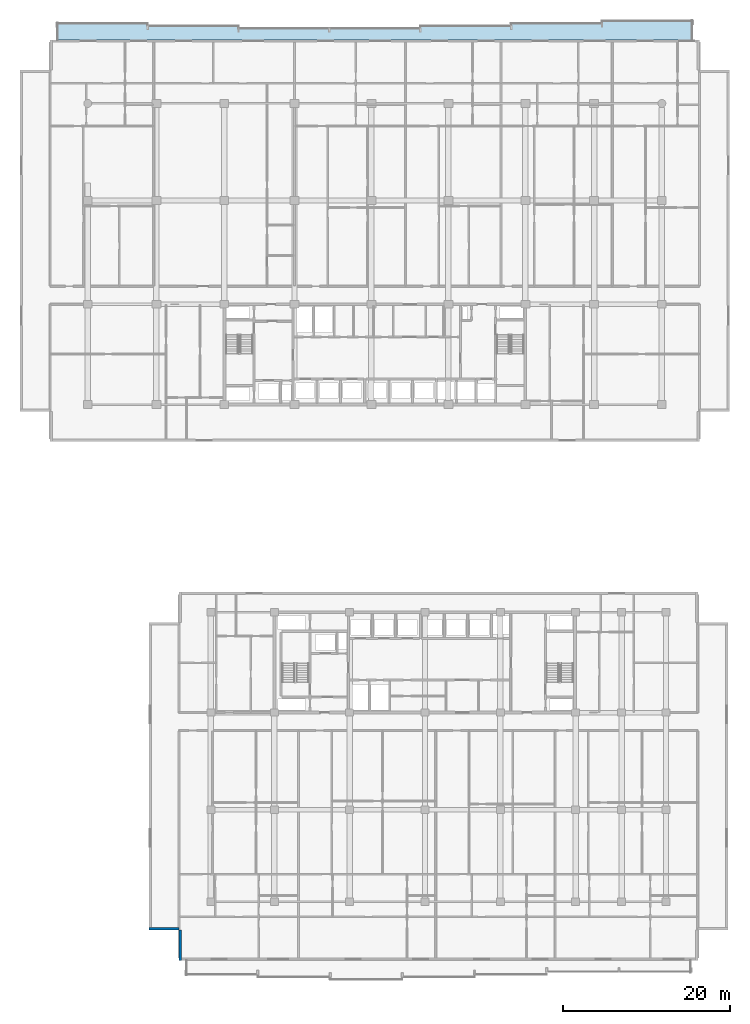
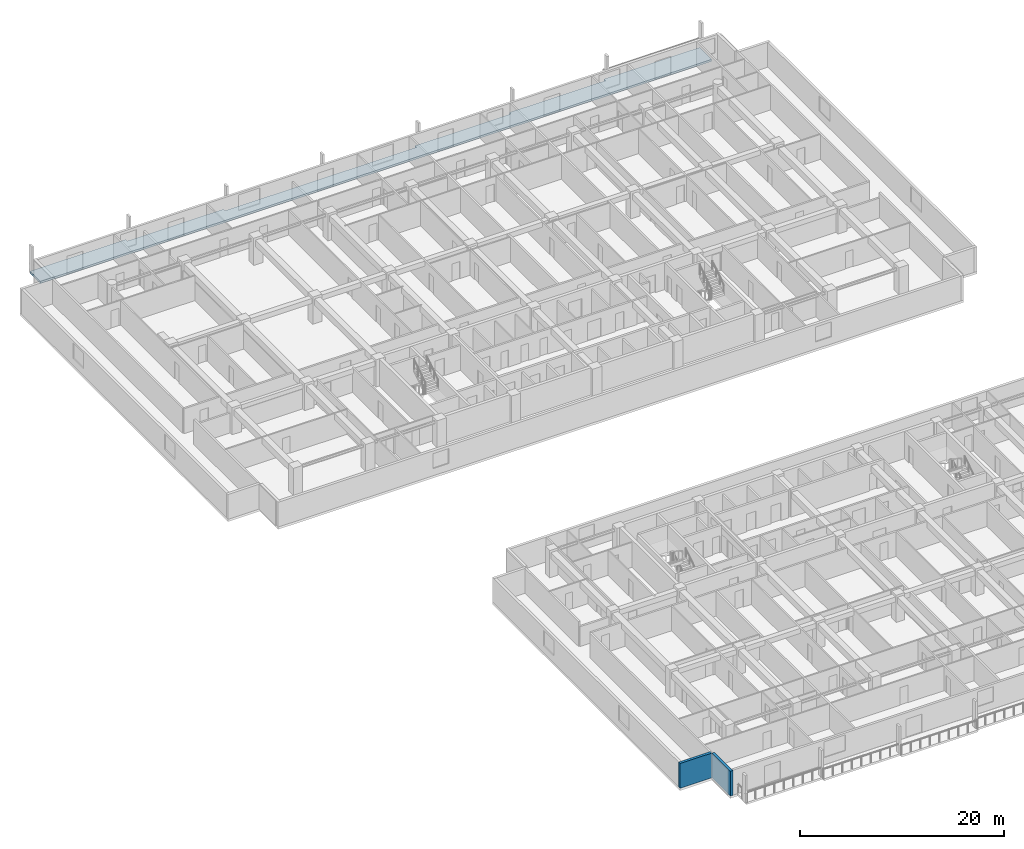
# One storey, part 3 of 23: 2 walls, 1 slab.
"""IFC4 building model written with IfcOpenShell, lengths in metres."""

import ifcopenshell
import ifcopenshell.guid

model = None  # the IFC model being written
_history = None  # IfcOwnerHistory: only IFC2X3 demands one
_inside = {}  # id of a spatial element -> (the spatial element, [elements in it])
_under = {}  # id of a project, library or spatial element -> (it, [spatial elements below it])
_declared = {}  # id of a project -> (the project, [libraries it declares])
_typed = {}  # id of a type object -> (the type object, [elements of that type])
_made_of = {}  # id of a material, layer set ... -> (it, [elements and type objects made of it])


def new_model(schema):
    """Start an empty IFC model of exactly this schema.

    Asked for "IFC4X3", IfcOpenShell would pick the latest addendum, in which some entities
    have other attributes; the version numbers below select the first issue.
    IFC2X3 requires an IfcOwnerHistory on every rooted entity: one is made here for all.
    """
    global model, _history
    if schema == "IFC4X3":
        model = ifcopenshell.file(schema_version=(4, 3, 0, 0))
    else:
        model = ifcopenshell.file(schema=schema)
    _inside.clear()
    _under.clear()
    _declared.clear()
    _typed.clear()
    _made_of.clear()
    _history = None
    if model.schema == "IFC2X3":
        org = make("IfcOrganization", Name="unknown")
        user = make(
            "IfcPersonAndOrganization",
            ThePerson=make("IfcPerson", FamilyName="unknown"),
            TheOrganization=org,
        )
        app = make(
            "IfcApplication",
            ApplicationDeveloper=org,
            Version="unknown",
            ApplicationFullName="unknown",
            ApplicationIdentifier="unknown",
        )
        _history = make(
            "IfcOwnerHistory",
            OwningUser=user,
            OwningApplication=app,
            ChangeAction="ADDED",
            CreationDate=0,
        )
    return model


def make(cls, **values):
    """One entity of the class cls with the attributes given. An attribute that is None is left unset."""
    return model.create_entity(
        cls, **{name: value for name, value in values.items() if value is not None}
    )


def rooted(cls, **values):
    """An entity with a GlobalId (a new one), such as an element, a storey or a relation."""
    return make(cls, GlobalId=ifcopenshell.guid.new(), OwnerHistory=_history, **values)


def si_unit(unit_type, name, prefix=None):
    """IfcSIUnit, for example si_unit("LENGTHUNIT", "METRE", prefix="MILLI")."""
    return make("IfcSIUnit", UnitType=unit_type, Prefix=prefix, Name=name)


def assignment(units):
    """IfcUnitAssignment: the units of a project."""
    return None if units is None else make("IfcUnitAssignment", Units=units)


def point(xyz):
    """IfcCartesianPoint."""
    return None if xyz is None else make("IfcCartesianPoint", Coordinates=xyz)


def direction(xyz):
    """IfcDirection."""
    return None if xyz is None else make("IfcDirection", DirectionRatios=xyz)


def frame(location, z_axis=None, x_axis=None):
    """IfcAxis2Placement3D, a coordinate frame: its origin and axes. An axis left out is left unset."""
    return make(
        "IfcAxis2Placement3D",
        Location=point(location),
        Axis=direction(z_axis),
        RefDirection=direction(x_axis),
    )


def frame_2d(location, x_axis=None):
    """IfcAxis2Placement2D, a coordinate frame in the plane: its origin and x axis."""
    return make(
        "IfcAxis2Placement2D", Location=point(location), RefDirection=direction(x_axis)
    )


def origin():
    """The frame at (0, 0, 0) with its axes left unset."""
    return frame((0.0, 0.0, 0.0))


def place(relative_to, where):
    """IfcLocalPlacement: puts the frame where relative to a parent placement (None: the world)."""
    return make(
        "IfcLocalPlacement", PlacementRelTo=relative_to, RelativePlacement=where
    )


def context(
    kind, dimensions, precision=None, world=None, true_north=None, identifier=None
):
    """IfcGeometricRepresentationContext, for example the 3D "Model" context."""
    return make(
        "IfcGeometricRepresentationContext",
        ContextIdentifier=identifier,
        ContextType=kind,
        CoordinateSpaceDimension=dimensions,
        Precision=precision,
        WorldCoordinateSystem=world,
        TrueNorth=true_north,
    )


def subcontext(parent, identifier, kind, view, scale=None):
    """IfcGeometricRepresentationSubContext, for example "Body" below "Model"."""
    return make(
        "IfcGeometricRepresentationSubContext",
        ContextIdentifier=identifier,
        ContextType=kind,
        ParentContext=parent,
        TargetScale=scale,
        TargetView=view,
    )


def project(units=None, contexts=None):
    """IfcProject with its units and contexts."""
    return rooted(
        "IfcProject",
        Name="project",
        RepresentationContexts=contexts,
        UnitsInContext=assignment(units),
    )


def spatial(cls, under=None, at=None, **own):
    """A site, building, storey or space (cls), placed at a placement, below another one or the project."""
    s = rooted(cls, ObjectPlacement=at, **own)
    if under is not None:
        _under.setdefault(under.id(), (under, []))[1].append(s)
    return s


def polyline(points):
    """IfcPolyline through the points."""
    return make("IfcPolyline", Points=[point(p) for p in points])


def profile(cls, at=None, kind="AREA", **sizes):
    """A parametric profile (cls). Its sizes go by their IFC names, for example OverallWidth=200.0."""
    return make(cls, ProfileType=kind, Position=at, **sizes)


def rectangle(**sizes):
    """IfcRectangleProfileDef."""
    return profile("IfcRectangleProfileDef", **sizes)


def outline(outer, holes=None, kind="AREA"):
    """IfcArbitraryClosedProfileDef: a profile drawn as a closed curve; with holes, ...WithVoids."""
    if holes is None:
        return make("IfcArbitraryClosedProfileDef", ProfileType=kind, OuterCurve=outer)
    return make(
        "IfcArbitraryProfileDefWithVoids",
        ProfileType=kind,
        OuterCurve=outer,
        InnerCurves=holes,
    )


def extrude(swept, where, along, depth):
    """IfcExtrudedAreaSolid: the profile swept, set in the frame where, extruded along a direction by depth."""
    return make(
        "IfcExtrudedAreaSolid",
        SweptArea=swept,
        Position=where,
        ExtrudedDirection=direction(along),
        Depth=depth,
    )


def shape(context_of_items, identifier, shape_type, items):
    """IfcShapeRepresentation: the items that make up one representation, for example the "Body"."""
    return make(
        "IfcShapeRepresentation",
        ContextOfItems=context_of_items,
        RepresentationIdentifier=identifier,
        RepresentationType=shape_type,
        Items=items,
    )


def material(Name=None, Category=None):
    """IfcMaterial."""
    return make("IfcMaterial", Name=Name, Category=Category)


def layer(
    of_material, thickness, ventilated=None, Name=None, Category=None, Priority=None
):
    """IfcMaterialLayer: one layer of a wall or slab, of a material (None: an air gap)."""
    return make(
        "IfcMaterialLayer",
        Material=of_material,
        LayerThickness=thickness,
        IsVentilated=ventilated,
        Name=Name,
        Category=Category,
        Priority=Priority,
    )


def layer_set(layers, Name=None):
    """IfcMaterialLayerSet."""
    return make("IfcMaterialLayerSet", MaterialLayers=layers, LayerSetName=Name)


def made_of(thing, what):
    """Note that an element or type object is made of a material, layer set ...; save() writes the relation."""
    if what is not None:
        _made_of.setdefault(what.id(), (what, []))[1].append(thing)
    return thing


def type_object(cls, material=None, **own):
    """A type object (cls), such as IfcWallType, which elements share."""
    return made_of(rooted(cls, **own), material)


def element(
    cls,
    number,
    at=None,
    inside=None,
    cuts=None,
    type_object=None,
    material=None,
    context=None,
    identifier="Body",
    shape_type=None,
    held_by="IfcProductDefinitionShape",
    body=None,
    shapes=None,
    **own,
):
    """One element of the class cls, such as IfcWall. Its Tag is "e" and its number.

    at: its placement. inside: the storey or other place that contains it. cuts: it is an
    opening in that element (IfcRelVoidsElement). A single representation is given by context,
    identifier, shape_type and body (its items); several are given by shapes. held_by: the class
    of the entity that holds the representations. save() writes the other relations.
    """
    e = rooted(cls, Tag="e%d" % number, ObjectPlacement=at, **own)
    if body is not None:
        shapes = [shape(context, identifier, shape_type, body)]
    if shapes is not None:
        e.Representation = make(held_by, Representations=shapes)
    if inside is not None:
        _inside.setdefault(inside.id(), (inside, []))[1].append(e)
    if cuts is not None:
        rooted(
            "IfcRelVoidsElement", RelatingBuildingElement=cuts, RelatedOpeningElement=e
        )
    if type_object is not None:
        _typed.setdefault(type_object.id(), (type_object, []))[1].append(e)
    return made_of(e, material)


def aggregate(whole, parts):
    """IfcRelAggregates: a whole, such as a stair, and the parts it consists of."""
    return rooted("IfcRelAggregates", RelatingObject=whole, RelatedObjects=parts)


def save(model, path):
    """Write the relations noted so far, then the file.

    IfcRelAggregates (storeys below a building ...), IfcRelContainedInSpatialStructure (elements
    in a storey), IfcRelDefinesByType, IfcRelAssociatesMaterial and IfcRelDeclares: one each for
    every whole, place, type object, material and project.
    """
    for whole, parts in _under.values():
        aggregate(whole, parts)
    for where, things in _inside.values():
        rooted(
            "IfcRelContainedInSpatialStructure",
            RelatedElements=things,
            RelatingStructure=where,
        )
    for kind, things in _typed.values():
        rooted("IfcRelDefinesByType", RelatedObjects=things, RelatingType=kind)
    for what, things in _made_of.values():
        rooted("IfcRelAssociatesMaterial", RelatedObjects=things, RelatingMaterial=what)
    for by, libraries in _declared.values():
        rooted("IfcRelDeclares", RelatingContext=by, RelatedDefinitions=libraries)
    model.write(path)


model = new_model("IFC4")

# Units and contexts
model_context = context("Model", 3, precision=1e-05, world=origin(), true_north=direction((0.0, 1.0)))
body_context = subcontext(model_context, "Body", "Model", "MODEL_VIEW")
ifc_project = project(units=[si_unit("LENGTHUNIT", "METRE"), si_unit("AREAUNIT", "SQUARE_METRE"), si_unit("VOLUMEUNIT", "CUBIC_METRE"), si_unit("PLANEANGLEUNIT", "RADIAN"), si_unit("MASSUNIT", "GRAM", prefix="KILO")], contexts=[model_context])

# Site, building, storey
site_placement = place(None, origin())
site = spatial("IfcSite", under=ifc_project, at=site_placement, CompositionType="ELEMENT")
building_placement = place(site_placement, origin())
building = spatial("IfcBuilding", under=site, at=building_placement, Name="Korimba Cascade Residences", CompositionType="ELEMENT")
storey_placement = place(building_placement, frame((0.0, 0.0, 40.25)))
storey = spatial("IfcBuildingStorey", under=building, at=storey_placement, Name="L10", CompositionType="ELEMENT", Elevation=40.25)

# Slab
ifc_material = material(Name="Precast concrete C40/50", Category="concrete")
ifc_layer_1 = layer(ifc_material, 0.239990234375)
ifc_layer_set_1 = layer_set([ifc_layer_1], Name="Precast concrete C40/50")
slab_type = type_object("IfcSlabType", Name="SLB-LOG-240", PredefinedType="FLOOR", material=ifc_layer_set_1)
slab_placement = place(storey_placement, frame((0.0, 0.0, -0.239990234375)))
element("IfcSlab", 1, at=slab_placement, inside=storey, type_object=slab_type, Name="L10 Tower 1 North Loggia Slab", PredefinedType="FLOOR", context=body_context, shape_type="SweptSolid", body=[
    extrude(outline(polyline([(56.10009765625, 98.800048828125), (132.10009765625, 98.800048828125), (132.10009765625, 101.14990234375), (121.242919921875, 101.14990234375), (121.242919921875, 100.85009765625), (110.3857421875, 100.85009765625), (110.3857421875, 100.550048828125), (99.528564453125, 100.550048828125), (99.528564453125, 100.25), (77.814208984375, 100.25), (77.814208984375, 100.550048828125), (66.95703125, 100.550048828125), (66.95703125, 100.85009765625), (56.10009765625, 100.85009765625), (56.10009765625, 98.800048828125)])), origin(), (0.0, 0.0, 1.0), 0.239990234375),
])

# Walls
ifc_layer_2 = layer(ifc_material, 0.300048828125)
ifc_layer_set_2 = layer_set([ifc_layer_2], Name="Precast concrete C40/50")
wall_type = type_object("IfcWallType", Name="EW-STONE-300", PredefinedType="STANDARD", material=ifc_layer_set_2)
for number, where, z_axis, x_axis, name in (
    (2, (67.10009765625, -7.449951171875, 0.0), (0.0, 0.0, 1.0), (1.0, 0.0, 0.0), "L10 T2 Perimeter Stone Wall E10"),
    (3, (70.85009765625, -7.60009765625, 0.0), (0.0, 0.0, 1.0), (0.0, -1.0, 0.0), "L10 T2 Perimeter Stone Wall E11"),
):
    element("IfcWall", number, at=place(storey_placement, frame(where, z_axis=z_axis, x_axis=x_axis)), inside=storey, type_object=wall_type, Name=name, PredefinedType="STANDARD", context=body_context, shape_type="SweptSolid", body=[
        extrude(rectangle(XDim=3.599853515625, YDim=0.300048828125, at=frame_2d((1.7998046875, 0.0))), origin(), (0.0, 0.0, 1.0), 2.969970703125),
    ])

save(model, "model.ifc")
